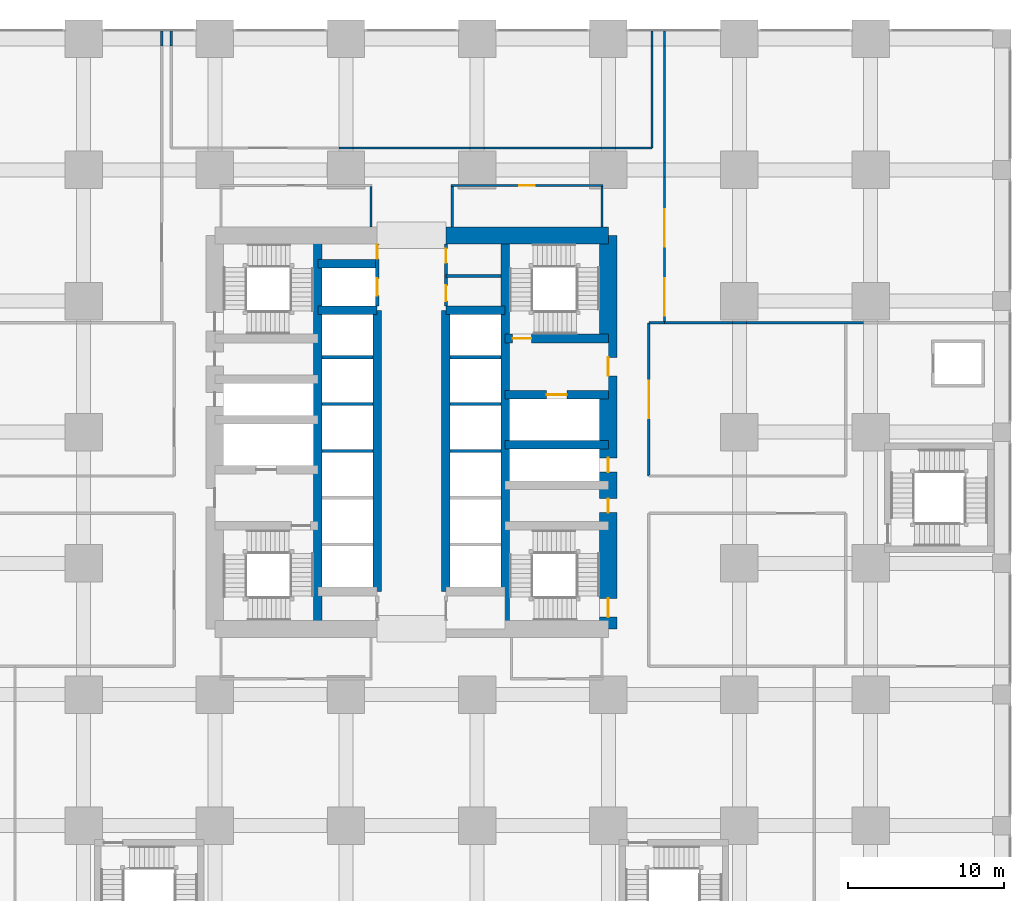
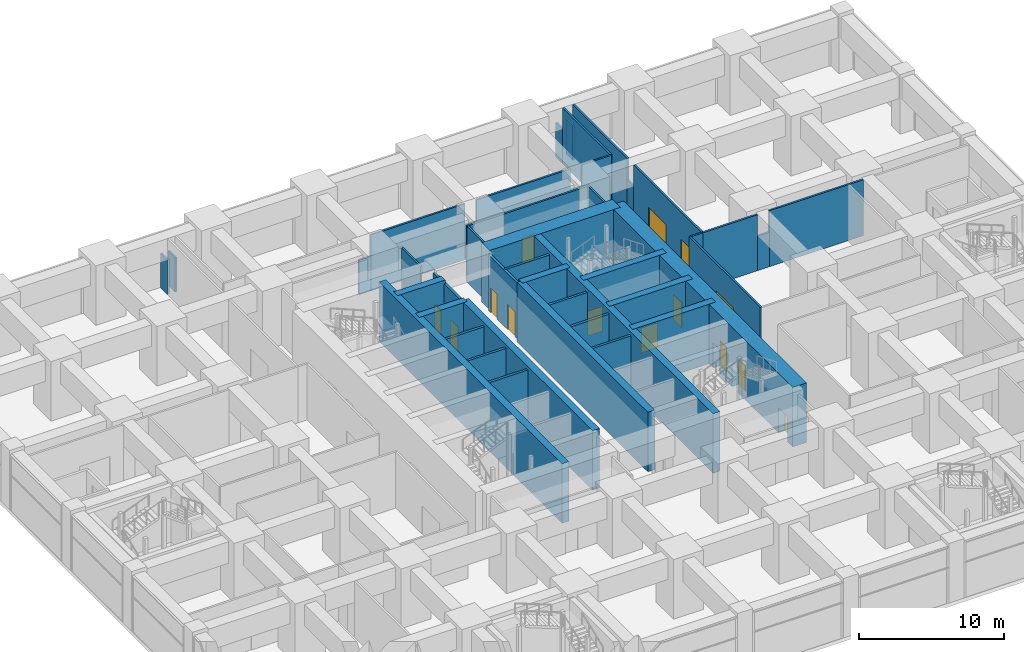
# One storey, part 38 of 49: 44 walls, 14 doors, 14 openings.
"""IFC4 building model written with IfcOpenShell, lengths in metres."""

from ifc_helpers import new_model, si_unit, direction, frame, frame_2d, origin, place, context, subcontext, project, spatial, rectangle, extrude, material, layer, layer_set, type_object, element, fill, save


model = new_model("IFC4")

# Units and contexts
model_context = context("Model", 3, precision=1e-05, world=origin(), true_north=direction((0.0, 1.0)))
body_context = subcontext(model_context, "Body", "Model", "MODEL_VIEW")
ifc_project = project(units=[si_unit("LENGTHUNIT", "METRE"), si_unit("AREAUNIT", "SQUARE_METRE"), si_unit("VOLUMEUNIT", "CUBIC_METRE"), si_unit("PLANEANGLEUNIT", "RADIAN"), si_unit("MASSUNIT", "GRAM", prefix="KILO")], contexts=[model_context])

# Site, building, storey
site_placement = place(None, origin())
site = spatial("IfcSite", under=ifc_project, at=site_placement, CompositionType="ELEMENT")
building_placement = place(site_placement, origin())
building = spatial("IfcBuilding", under=site, at=building_placement, Name="Rekha Terrace Tower", CompositionType="ELEMENT")
storey_placement = place(building_placement, frame((0.0, 0.0, 10.39990234375)))
storey = spatial("IfcBuildingStorey", under=building, at=storey_placement, Name="L02", CompositionType="ELEMENT", Elevation=10.39990234375)

# Walls
ifc_material_1 = material(Name="Concrete M70", Category="concrete")
ifc_layer_1 = layer(ifc_material_1, 0.550048828125)
ifc_layer_set_1 = layer_set([ifc_layer_1], Name="Concrete M70")
wall_type_1 = type_object("IfcWallType", Name="CI1 550 core internal shear wall", PredefinedType="SHEAR", material=ifc_layer_set_1)
for number, where, z_axis, x_axis, name in (
    (1, (31.800048828125, 21.0, 0.0), (0.0, 0.0, 1.0), (0.0, 1.0, 0.0), "Core wall X318 L02"),
    (2, (43.800048828125, 21.0, 0.0), (0.0, 0.0, 1.0), (0.0, 1.0, 0.0), "Core wall X438 L02"),
):
    element("IfcWall", number, at=place(storey_placement, frame(where, z_axis=z_axis, x_axis=x_axis)), inside=storey, type_object=wall_type_1, Name=name, PredefinedType="SHEAR", context=body_context, shape_type="SweptSolid", body=[
        extrude(rectangle(XDim=25.199951171875, YDim=0.550048828125, at=frame_2d((12.60009765625, 0.0))), origin(), (0.0, 0.0, 1.0), 5.0),
    ])
for number, where, z_axis, x_axis, name in (
    (3, (35.60009765625, 23.39990234375, 0.0), (0.0, 0.0, 1.0), (0.0, 1.0, 0.0), "Core wall X356 L02"),
    (4, (40.0, 23.39990234375, 0.0), (0.0, 0.0, 1.0), (0.0, 1.0, 0.0), "Core wall X400 L02"),
):
    element("IfcWall", number, at=place(storey_placement, frame(where, z_axis=z_axis, x_axis=x_axis)), inside=storey, type_object=wall_type_1, Name=name, PredefinedType="SHEAR", context=body_context, shape_type="SweptSolid", body=[
        extrude(rectangle(XDim=18.0, YDim=0.550048828125, at=frame_2d((9.0, 0.0))), origin(), (0.0, 0.0, 1.0), 5.0),
    ])
for number, where, z_axis, x_axis, name in (
    (5, (31.800048828125, 41.39990234375, 0.0), (0.0, 0.0, 1.0), (1.0, 0.0, 0.0), "Core wall Y414W L02"),
    (6, (31.800048828125, 44.39990234375, 0.0), (0.0, 0.0, 1.0), (1.0, 0.0, 0.0), "Core wall Y444W L02"),
    (7, (40.0, 41.39990234375, 0.0), (0.0, 0.0, 1.0), (1.0, 0.0, 0.0), "Core wall Y414E L02"),
):
    element("IfcWall", number, at=place(storey_placement, frame(where, z_axis=z_axis, x_axis=x_axis)), inside=storey, type_object=wall_type_1, Name=name, PredefinedType="SHEAR", context=body_context, shape_type="SweptSolid", body=[
        extrude(rectangle(XDim=3.800048828125, YDim=0.550048828125, at=frame_2d((1.89990234375, 0.0))), origin(), (0.0, 0.0, 1.0), 5.0),
    ])
wall_1_placement = place(storey_placement, frame((43.800048828125, 32.800048828125, 0.0), z_axis=(0.0, 0.0, 1.0), x_axis=(1.0, 0.0, 0.0)))
element("IfcWall", 8, at=wall_1_placement, inside=storey, type_object=wall_type_1, Name="Core wall Y328E L02", PredefinedType="SHEAR", context=body_context, shape_type="SweptSolid", body=[
    extrude(rectangle(XDim=6.599853515625, YDim=0.550048828125, at=frame_2d((3.2998046875, 0.0))), origin(), (0.0, 0.0, 1.0), 5.0),
])

# Wall, opening, door
wall_2_placement = place(storey_placement, frame((43.800048828125, 36.0, 0.0), z_axis=(0.0, 0.0, 1.0), x_axis=(1.0, 0.0, 0.0)))
wall_2 = element("IfcWall", 9, at=wall_2_placement, inside=storey, type_object=wall_type_1, Name="Core wall Y360E L02", PredefinedType="SHEAR", context=body_context, shape_type="SweptSolid", body=[
    extrude(rectangle(XDim=6.599853515625, YDim=0.550048828125, at=frame_2d((3.2998046875, 0.0))), origin(), (0.0, 0.0, 1.0), 5.0),
])
opening_1_placement = place(wall_2_placement, frame((2.64990234375, 0.0, 0.0)))
opening_1 = element("IfcOpeningElement", 10, at=opening_1_placement, cuts=wall_2, Name="Opening LD2", PredefinedType="OPENING", context=body_context, shape_type="SweptSolid", body=[
    extrude(rectangle(XDim=1.300048828125, YDim=2.10009765625, at=frame_2d((0.64990234375, 1.050048828125))), frame((0.0, 0.284912109375, 0.0), z_axis=(0.0, -1.0, 0.0), x_axis=(1.0, 0.0, 0.0)), (0.0, 0.0, 1.0), 0.570068359375),
])
ifc_material_2 = material(Name="Stainless steel sliding landing door", Category="steel")
door_type_1 = type_object("IfcDoorType", Name="LD2 1300x2100 fire lift landing door", OperationType="SLIDING_TO_LEFT", PredefinedType="USERDEFINED", material=ifc_material_2)
door_1_placement = place(opening_1_placement, origin())
door_1 = element("IfcDoor", 11, at=door_1_placement, inside=storey, type_object=door_type_1, Name="Lift FL2 landing door L02", ObjectType="LIFT LANDING DOOR", OperationType="SLIDING_TO_LEFT", OverallHeight=2.10009765625, OverallWidth=1.300048828125, PredefinedType="USERDEFINED", context=body_context, shape_type="SweptSolid", body=[
    extrude(rectangle(XDim=1.300048828125, YDim=2.10009765625, at=frame_2d((0.64990234375, 1.050048828125))), frame((0.0, 0.02490234375, 0.0), z_axis=(0.0, -1.0, 0.0), x_axis=(1.0, 0.0, 0.0)), (0.0, 0.0, 1.0), 0.050048828125),
])
fill(opening_1, door_1)

wall_3_placement = place(storey_placement, frame((43.800048828125, 39.60009765625, 0.0), z_axis=(0.0, 0.0, 1.0), x_axis=(1.0, 0.0, 0.0)))
wall_3 = element("IfcWall", 12, at=wall_3_placement, inside=storey, type_object=wall_type_1, Name="Core wall Y396E L02", PredefinedType="SHEAR", context=body_context, shape_type="SweptSolid", body=[
    extrude(rectangle(XDim=6.599853515625, YDim=0.550048828125, at=frame_2d((3.2998046875, 0.0))), origin(), (0.0, 0.0, 1.0), 5.0),
])
opening_2_placement = place(wall_3_placement, frame((0.47509765625, 0.0, 0.0)))
opening_2 = element("IfcOpeningElement", 13, at=opening_2_placement, cuts=wall_3, Name="Opening D1", PredefinedType="OPENING", context=body_context, shape_type="SweptSolid", body=[
    extrude(rectangle(XDim=1.199951171875, YDim=2.10009765625, at=frame_2d((0.60009765625, 1.050048828125))), frame((0.0, 0.284912109375, 0.0), z_axis=(0.0, -1.0, 0.0), x_axis=(1.0, 0.0, 0.0)), (0.0, 0.0, 1.0), 0.570068359375),
])
ifc_material_3 = material(Name="Steel fire door", Category="steel")
door_type_2 = type_object("IfcDoorType", Name="D1 1200x2100 stair fire door", OperationType="SINGLE_SWING_RIGHT", PredefinedType="DOOR", material=ifc_material_3)
door_2_placement = place(opening_2_placement, origin())
door_2 = element("IfcDoor", 14, at=door_2_placement, inside=storey, type_object=door_type_2, Name="Stair ST2 door L02", OperationType="SINGLE_SWING_RIGHT", OverallHeight=2.10009765625, OverallWidth=1.199951171875, PredefinedType="DOOR", context=body_context, shape_type="SweptSolid", body=[
    extrude(rectangle(XDim=1.199951171875, YDim=2.10009765625, at=frame_2d((0.60009765625, 1.050048828125))), frame((0.0, 0.02490234375, 0.0), z_axis=(0.0, -1.0, 0.0), x_axis=(1.0, 0.0, 0.0)), (0.0, 0.0, 1.0), 0.050048828125),
])
fill(opening_2, door_2)

# Wall
ifc_layer_2 = layer(ifc_material_1, 1.10009765625)
ifc_layer_set_2 = layer_set([ifc_layer_2], Name="Concrete M70")
wall_type_2 = type_object("IfcWallType", Name="SW1 1100 core outer shear wall", PredefinedType="SHEAR", material=ifc_layer_set_2)
wall_4_placement = place(storey_placement, frame((40.0, 46.199951171875, 0.0), z_axis=(0.0, 0.0, 1.0), x_axis=(1.0, 0.0, 0.0)))
element("IfcWall", 15, at=wall_4_placement, inside=storey, type_object=wall_type_2, Name="Core wall N2 L02", PredefinedType="SHEAR", context=body_context, shape_type="SweptSolid", body=[
    extrude(rectangle(XDim=10.39990234375, YDim=1.10009765625, at=frame_2d((5.199951171875, 0.0))), origin(), (0.0, 0.0, 1.0), 5.0),
])

# Wall, openings, doors
wall_5_placement = place(storey_placement, frame((50.39990234375, 21.0, 0.0), z_axis=(0.0, 0.0, 1.0), x_axis=(0.0, 1.0, 0.0)))
wall_5 = element("IfcWall", 16, at=wall_5_placement, inside=storey, type_object=wall_type_2, Name="Core wall E L02", PredefinedType="SHEAR", context=body_context, shape_type="SweptSolid", body=[
    extrude(rectangle(XDim=25.199951171875, YDim=1.10009765625, at=frame_2d((12.60009765625, 0.0))), origin(), (0.0, 0.0, 1.0), 5.0),
])
opening_3_placement = place(wall_5_placement, frame((16.199951171875, 0.0, 0.0)))
opening_3 = element("IfcOpeningElement", 17, at=opening_3_placement, cuts=wall_5, Name="Opening D2", PredefinedType="OPENING", context=body_context, shape_type="SweptSolid", body=[
    extrude(rectangle(XDim=1.199951171875, YDim=2.10009765625, at=frame_2d((0.60009765625, 1.050048828125))), frame((0.0, 0.56005859375, 0.0), z_axis=(0.0, -1.0, 0.0), x_axis=(1.0, 0.0, 0.0)), (0.0, 0.0, 1.0), 1.1201171875),
])
opening_4_placement = place(wall_5_placement, frame((10.050048828125, 0.0, 0.0)))
opening_4 = element("IfcOpeningElement", 18, at=opening_4_placement, cuts=wall_5, Name="Opening D5", PredefinedType="OPENING", context=body_context, shape_type="SweptSolid", body=[
    extrude(rectangle(XDim=0.89990234375, YDim=2.10009765625, at=frame_2d((0.449951171875, 1.050048828125))), frame((0.0, 0.56005859375, 0.0), z_axis=(0.0, -1.0, 0.0), x_axis=(1.0, 0.0, 0.0)), (0.0, 0.0, 1.0), 1.1201171875),
])
opening_5_placement = place(wall_5_placement, frame((7.449951171875, 0.0, 0.0)))
opening_5 = element("IfcOpeningElement", 19, at=opening_5_placement, cuts=wall_5, Name="Opening D5", PredefinedType="OPENING", context=body_context, shape_type="SweptSolid", body=[
    extrude(rectangle(XDim=0.89990234375, YDim=2.10009765625, at=frame_2d((0.449951171875, 1.050048828125))), frame((0.0, 0.56005859375, 0.0), z_axis=(0.0, -1.0, 0.0), x_axis=(1.0, 0.0, 0.0)), (0.0, 0.0, 1.0), 1.1201171875),
])
opening_6_placement = place(wall_5_placement, frame((0.75, 0.0, 0.0)))
opening_6 = element("IfcOpeningElement", 20, at=opening_6_placement, cuts=wall_5, Name="Opening D1", PredefinedType="OPENING", context=body_context, shape_type="SweptSolid", body=[
    extrude(rectangle(XDim=1.199951171875, YDim=2.10009765625, at=frame_2d((0.60009765625, 1.050048828125))), frame((0.0, 0.56005859375, 0.0), z_axis=(0.0, -1.0, 0.0), x_axis=(1.0, 0.0, 0.0)), (0.0, 0.0, 1.0), 1.1201171875),
])
door_3_placement = place(opening_6_placement, origin())
door_3 = element("IfcDoor", 21, at=door_3_placement, inside=storey, type_object=door_type_2, Name="Stair ST3 door L02", OperationType="SINGLE_SWING_RIGHT", OverallHeight=2.10009765625, OverallWidth=1.199951171875, PredefinedType="DOOR", context=body_context, shape_type="SweptSolid", body=[
    extrude(rectangle(XDim=1.199951171875, YDim=2.10009765625, at=frame_2d((0.60009765625, 1.050048828125))), frame((0.0, 0.02490234375, 0.0), z_axis=(0.0, -1.0, 0.0), x_axis=(1.0, 0.0, 0.0)), (0.0, 0.0, 1.0), 0.050048828125),
])
fill(opening_6, door_3)
door_type_3 = type_object("IfcDoorType", Name="D2 1200x2100 firefighting lobby door", OperationType="SINGLE_SWING_LEFT", PredefinedType="DOOR", material=ifc_material_3)
door_4_placement = place(opening_3_placement, origin())
door_4 = element("IfcDoor", 22, at=door_4_placement, inside=storey, type_object=door_type_3, Name="Door flb2 L02", OperationType="SINGLE_SWING_LEFT", OverallHeight=2.10009765625, OverallWidth=1.199951171875, PredefinedType="DOOR", context=body_context, shape_type="SweptSolid", body=[
    extrude(rectangle(XDim=1.199951171875, YDim=2.10009765625, at=frame_2d((0.60009765625, 1.050048828125))), frame((0.0, 0.02490234375, 0.0), z_axis=(0.0, -1.0, 0.0), x_axis=(1.0, 0.0, 0.0)), (0.0, 0.0, 1.0), 0.050048828125),
])
fill(opening_3, door_4)
door_type_4 = type_object("IfcDoorType", Name="D5 900x2100 riser access door", OperationType="SINGLE_SWING_LEFT", PredefinedType="DOOR", material=ifc_material_3)
door_5_placement = place(opening_4_placement, origin())
door_5 = element("IfcDoor", 23, at=door_5_placement, inside=storey, type_object=door_type_4, Name="Door rs2 L02", OperationType="SINGLE_SWING_LEFT", OverallHeight=2.10009765625, OverallWidth=0.89990234375, PredefinedType="DOOR", context=body_context, shape_type="SweptSolid", body=[
    extrude(rectangle(XDim=0.89990234375, YDim=2.10009765625, at=frame_2d((0.449951171875, 1.050048828125))), frame((0.0, 0.02490234375, 0.0), z_axis=(0.0, -1.0, 0.0), x_axis=(1.0, 0.0, 0.0)), (0.0, 0.0, 1.0), 0.050048828125),
])
fill(opening_4, door_5)
door_6_placement = place(opening_5_placement, origin())
door_6 = element("IfcDoor", 24, at=door_6_placement, inside=storey, type_object=door_type_4, Name="Door ele L02", OperationType="SINGLE_SWING_LEFT", OverallHeight=2.10009765625, OverallWidth=0.89990234375, PredefinedType="DOOR", context=body_context, shape_type="SweptSolid", body=[
    extrude(rectangle(XDim=0.89990234375, YDim=2.10009765625, at=frame_2d((0.449951171875, 1.050048828125))), frame((0.0, 0.02490234375, 0.0), z_axis=(0.0, -1.0, 0.0), x_axis=(1.0, 0.0, 0.0)), (0.0, 0.0, 1.0), 0.050048828125),
])
fill(opening_5, door_6)

# Wall, opening, door
ifc_material_4 = material(Name="Concrete block masonry, 1 hour", Category="masonry")
ifc_layer_3 = layer(ifc_material_4, 0.14990234375)
ifc_layer_set_3 = layer_set([ifc_layer_3], Name="Concrete block masonry, 1 hour")
wall_type_3 = type_object("IfcWallType", Name="WP2 150 tenancy partition", PredefinedType="PARTITIONING", material=ifc_layer_set_3)
wall_6_placement = place(storey_placement, frame((40.324951171875, 49.39990234375, 0.0), z_axis=(0.0, 0.0, 1.0), x_axis=(1.0, 0.0, 0.0)))
wall_6 = element("IfcWall", 25, at=wall_6_placement, inside=storey, type_object=wall_type_3, Name="Women's WC wall L02", PredefinedType="PARTITIONING", context=body_context, shape_type="SweptSolid", body=[
    extrude(rectangle(XDim=9.75, YDim=0.14990234375, at=frame_2d((4.875, 0.0))), origin(), (0.0, 0.0, 1.0), 4.7001953125),
])
opening_7_placement = place(wall_6_placement, frame((4.375, 0.0, 0.0)))
opening_7 = element("IfcOpeningElement", 26, at=opening_7_placement, cuts=wall_6, Name="Opening D3", PredefinedType="OPENING", context=body_context, shape_type="SweptSolid", body=[
    extrude(rectangle(XDim=1.0, YDim=2.10009765625, at=frame_2d((0.5, 1.050048828125))), frame((0.0, 0.0849609375, 0.0), z_axis=(0.0, -1.0, 0.0), x_axis=(1.0, 0.0, 0.0)), (0.0, 0.0, 1.0), 0.169921875),
])
ifc_material_5 = material(Name="Laminated timber fire door", Category="wood")
door_type_5 = type_object("IfcDoorType", Name="D3 1000x2100 WC door", OperationType="SINGLE_SWING_LEFT", PredefinedType="DOOR", material=ifc_material_5)
door_7_placement = place(opening_7_placement, origin())
door_7 = element("IfcDoor", 27, at=door_7_placement, inside=storey, type_object=door_type_5, Name="Door women's wc L02", OperationType="SINGLE_SWING_LEFT", OverallHeight=2.10009765625, OverallWidth=1.0, PredefinedType="DOOR", context=body_context, shape_type="SweptSolid", body=[
    extrude(rectangle(XDim=1.0, YDim=2.10009765625, at=frame_2d((0.5, 1.050048828125))), frame((0.0, 0.02490234375, 0.0), z_axis=(0.0, -1.0, 0.0), x_axis=(1.0, 0.0, 0.0)), (0.0, 0.0, 1.0), 0.050048828125),
])
fill(opening_7, door_7)

# Walls
for number, where, z_axis, x_axis, name in (
    (28, (40.39990234375, 46.75, 0.0), (0.0, 0.0, 1.0), (0.0, 1.0, 0.0), "Women's WC wall L02"),
    (29, (50.0, 46.75, 0.0), (0.0, 0.0, 1.0), (0.0, 1.0, 0.0), "Women's WC wall L02"),
    (30, (35.199951171875, 46.75, 0.0), (0.0, 0.0, 1.0), (0.0, 1.0, 0.0), "Women's WC wall L02"),
):
    element("IfcWall", number, at=place(storey_placement, frame(where, z_axis=z_axis, x_axis=x_axis)), inside=storey, type_object=wall_type_3, Name=name, PredefinedType="PARTITIONING", context=body_context, shape_type="SweptSolid", body=[
        extrude(rectangle(XDim=2.574951171875, YDim=0.14990234375, at=frame_2d((1.28759765625, 0.0))), origin(), (0.0, 0.0, 1.0), 4.7001953125),
    ])
wall_7_placement = place(storey_placement, frame((21.800048828125, 59.2900390625, 0.0), z_axis=(0.0, 0.0, 1.0), x_axis=(0.0, -1.0, 0.0)))
element("IfcWall", 31, at=wall_7_placement, inside=storey, type_object=wall_type_3, Name="Partition L02-02", PredefinedType="PARTITIONING", context=body_context, shape_type="SweptSolid", body=[
    extrude(rectangle(XDim=0.949951171875, YDim=0.14990234375, at=frame_2d((0.47509765625, 0.0))), origin(), (0.0, 0.0, 1.0), 2.900146484375),
])
wall_8_placement = place(storey_placement, frame((66.739990234375, 40.60009765625, 0.0), z_axis=(0.0, 0.0, 1.0), x_axis=(-1.0, 0.0, 0.0)))
element("IfcWall", 32, at=wall_8_placement, inside=storey, type_object=wall_type_3, Name="Partition L02-03", PredefinedType="PARTITIONING", context=body_context, shape_type="SweptSolid", body=[
    extrude(rectangle(XDim=7.47998046875, YDim=0.14990234375, at=frame_2d((3.739990234375, 0.0))), origin(), (0.0, 0.0, 1.0), 4.7001953125),
])
wall_9_placement = place(storey_placement, frame((59.260009765625, 40.60009765625, 0.0), z_axis=(0.0, 0.0, 1.0), x_axis=(-1.0, 0.0, 0.0)))
element("IfcWall", 33, at=wall_9_placement, inside=storey, type_object=wall_type_3, Name="Partition L02-03", PredefinedType="PARTITIONING", context=body_context, shape_type="SweptSolid", body=[
    extrude(rectangle(XDim=0.919921875, YDim=0.14990234375, at=frame_2d((0.4599609375, 0.0))), origin(), (0.0, 0.0, 1.0), 2.900146484375),
])
wall_10_placement = place(storey_placement, frame((58.340087890625, 40.60009765625, 0.0), z_axis=(0.0, 0.0, 1.0), x_axis=(-1.0, 0.0, 0.0)))
element("IfcWall", 34, at=wall_10_placement, inside=storey, type_object=wall_type_3, Name="Partition L02-03", PredefinedType="PARTITIONING", context=body_context, shape_type="SweptSolid", body=[
    extrude(rectangle(XDim=4.340087890625, YDim=0.14990234375, at=frame_2d((2.169921875, 0.0))), origin(), (0.0, 0.0, 1.0), 4.7001953125),
])

# Wall, openings, doors
wall_11_placement = place(storey_placement, frame((54.0, 40.60009765625, 0.0), z_axis=(0.0, 0.0, 1.0), x_axis=(0.0, 1.0, 0.0)))
wall_11 = element("IfcWall", 35, at=wall_11_placement, inside=storey, type_object=wall_type_3, Name="Partition L02-03", PredefinedType="PARTITIONING", context=body_context, shape_type="SweptSolid", body=[
    extrude(rectangle(XDim=9.33984375, YDim=0.14990234375, at=frame_2d((4.669921875, 0.0))), origin(), (0.0, 0.0, 1.0), 4.7001953125),
])
opening_8_placement = place(wall_11_placement, frame((4.875, 0.0, 0.0)))
opening_8 = element("IfcOpeningElement", 36, at=opening_8_placement, cuts=wall_11, Name="Opening D7", PredefinedType="OPENING", context=body_context, shape_type="SweptSolid", body=[
    extrude(rectangle(XDim=2.39990234375, YDim=2.39990234375, at=frame_2d((1.199951171875, 1.199951171875))), frame((0.0, 0.0849609375, 0.0), z_axis=(0.0, -1.0, 0.0), x_axis=(1.0, 0.0, 0.0)), (0.0, 0.0, 1.0), 0.169921875),
])
opening_9_placement = place(wall_11_placement, frame((0.469970703125, 0.0, 0.0)))
opening_9 = element("IfcOpeningElement", 37, at=opening_9_placement, cuts=wall_11, Name="Opening D7", PredefinedType="OPENING", context=body_context, shape_type="SweptSolid", body=[
    extrude(rectangle(XDim=2.39990234375, YDim=2.39990234375, at=frame_2d((1.199951171875, 1.199951171875))), frame((0.0, 0.0849609375, 0.0), z_axis=(0.0, -1.0, 0.0), x_axis=(1.0, 0.0, 0.0)), (0.0, 0.0, 1.0), 0.169921875),
])
ifc_material_6 = material(Name="Glazed aluminium door", Category="aluminium")
door_type_6 = type_object("IfcDoorType", Name="D7 2400x2400 shopfront double door", OperationType="DOUBLE_DOOR_SINGLE_SWING", PredefinedType="DOOR", material=ifc_material_6)
door_8_placement = place(opening_8_placement, origin())
door_8 = element("IfcDoor", 38, at=door_8_placement, inside=storey, type_object=door_type_6, Name="Door retail unit 10 L02", OperationType="DOUBLE_DOOR_SINGLE_SWING", OverallHeight=2.39990234375, OverallWidth=2.39990234375, PredefinedType="DOOR", context=body_context, shape_type="SweptSolid", body=[
    extrude(rectangle(XDim=2.39990234375, YDim=2.39990234375, at=frame_2d((1.199951171875, 1.199951171875))), frame((0.0, 0.02490234375, 0.0), z_axis=(0.0, -1.0, 0.0), x_axis=(1.0, 0.0, 0.0)), (0.0, 0.0, 1.0), 0.050048828125),
])
fill(opening_8, door_8)
door_9_placement = place(opening_9_placement, origin())
door_9 = element("IfcDoor", 39, at=door_9_placement, inside=storey, type_object=door_type_6, Name="Door retail unit 10 L02", OperationType="DOUBLE_DOOR_SINGLE_SWING", OverallHeight=2.39990234375, OverallWidth=2.39990234375, PredefinedType="DOOR", context=body_context, shape_type="SweptSolid", body=[
    extrude(rectangle(XDim=2.39990234375, YDim=2.39990234375, at=frame_2d((1.199951171875, 1.199951171875))), frame((0.0, 0.02490234375, 0.0), z_axis=(0.0, -1.0, 0.0), x_axis=(1.0, 0.0, 0.0)), (0.0, 0.0, 1.0), 0.050048828125),
])
fill(opening_9, door_9)

# Walls
wall_12_placement = place(storey_placement, frame((54.0, 49.93994140625, 0.0), z_axis=(0.0, 0.0, 1.0), x_axis=(0.0, 1.0, 0.0)))
element("IfcWall", 40, at=wall_12_placement, inside=storey, type_object=wall_type_3, Name="Partition L02-03", PredefinedType="PARTITIONING", context=body_context, shape_type="SweptSolid", body=[
    extrude(rectangle(XDim=0.920166015625, YDim=0.14990234375, at=frame_2d((0.4599609375, 0.0))), origin(), (0.0, 0.0, 1.0), 2.900146484375),
])
wall_13_placement = place(storey_placement, frame((54.0, 50.860107421875, 0.0), z_axis=(0.0, 0.0, 1.0), x_axis=(0.0, 1.0, 0.0)))
element("IfcWall", 41, at=wall_13_placement, inside=storey, type_object=wall_type_3, Name="Partition L02-03", PredefinedType="PARTITIONING", context=body_context, shape_type="SweptSolid", body=[
    extrude(rectangle(XDim=7.47998046875, YDim=0.14990234375, at=frame_2d((3.739990234375, 0.0))), origin(), (0.0, 0.0, 1.0), 4.7001953125),
])
wall_14_placement = place(storey_placement, frame((54.0, 58.340087890625, 0.0), z_axis=(0.0, 0.0, 1.0), x_axis=(0.0, 1.0, 0.0)))
element("IfcWall", 42, at=wall_14_placement, inside=storey, type_object=wall_type_3, Name="Partition L02-03", PredefinedType="PARTITIONING", context=body_context, shape_type="SweptSolid", body=[
    extrude(rectangle(XDim=0.949951171875, YDim=0.14990234375, at=frame_2d((0.47509765625, 0.0))), origin(), (0.0, 0.0, 1.0), 2.900146484375),
])
wall_15_placement = place(storey_placement, frame((53.199951171875, 51.800048828125, 0.0), z_axis=(0.0, 0.0, 1.0), x_axis=(-1.0, 0.0, 0.0)))
element("IfcWall", 43, at=wall_15_placement, inside=storey, type_object=wall_type_3, Name="Partition L02-06", PredefinedType="PARTITIONING", context=body_context, shape_type="SweptSolid", body=[
    extrude(rectangle(XDim=2.33984375, YDim=0.14990234375, at=frame_2d((1.169921875, 0.0))), origin(), (0.0, 0.0, 1.0), 4.7001953125),
])
wall_16_placement = place(storey_placement, frame((50.860107421875, 51.800048828125, 0.0), z_axis=(0.0, 0.0, 1.0), x_axis=(-1.0, 0.0, 0.0)))
element("IfcWall", 44, at=wall_16_placement, inside=storey, type_object=wall_type_3, Name="Partition L02-06", PredefinedType="PARTITIONING", context=body_context, shape_type="SweptSolid", body=[
    extrude(rectangle(XDim=0.920166015625, YDim=0.14990234375, at=frame_2d((0.4599609375, 0.0))), origin(), (0.0, 0.0, 1.0), 2.900146484375),
])
wall_17_placement = place(storey_placement, frame((49.93994140625, 51.800048828125, 0.0), z_axis=(0.0, 0.0, 1.0), x_axis=(-1.0, 0.0, 0.0)))
element("IfcWall", 45, at=wall_17_placement, inside=storey, type_object=wall_type_3, Name="Partition L02-06", PredefinedType="PARTITIONING", context=body_context, shape_type="SweptSolid", body=[
    extrude(rectangle(XDim=7.47998046875, YDim=0.14990234375, at=frame_2d((3.739990234375, 0.0))), origin(), (0.0, 0.0, 1.0), 4.7001953125),
])
wall_18_placement = place(storey_placement, frame((42.4599609375, 51.800048828125, 0.0), z_axis=(0.0, 0.0, 1.0), x_axis=(-1.0, 0.0, 0.0)))
element("IfcWall", 46, at=wall_18_placement, inside=storey, type_object=wall_type_3, Name="Partition L02-06", PredefinedType="PARTITIONING", context=body_context, shape_type="SweptSolid", body=[
    extrude(rectangle(XDim=0.919921875, YDim=0.14990234375, at=frame_2d((0.4599609375, 0.0))), origin(), (0.0, 0.0, 1.0), 2.900146484375),
])
wall_19_placement = place(storey_placement, frame((41.5400390625, 51.800048828125, 0.0), z_axis=(0.0, 0.0, 1.0), x_axis=(-1.0, 0.0, 0.0)))
element("IfcWall", 47, at=wall_19_placement, inside=storey, type_object=wall_type_3, Name="Partition L02-06", PredefinedType="PARTITIONING", context=body_context, shape_type="SweptSolid", body=[
    extrude(rectangle(XDim=7.47998046875, YDim=0.14990234375, at=frame_2d((3.739990234375, 0.0))), origin(), (0.0, 0.0, 1.0), 4.7001953125),
])
wall_20_placement = place(storey_placement, frame((34.06005859375, 51.800048828125, 0.0), z_axis=(0.0, 0.0, 1.0), x_axis=(-1.0, 0.0, 0.0)))
element("IfcWall", 48, at=wall_20_placement, inside=storey, type_object=wall_type_3, Name="Partition L02-06", PredefinedType="PARTITIONING", context=body_context, shape_type="SweptSolid", body=[
    extrude(rectangle(XDim=0.920166015625, YDim=0.14990234375, at=frame_2d((0.4599609375, 0.0))), origin(), (0.0, 0.0, 1.0), 2.900146484375),
])
for number, where, z_axis, x_axis, name in (
    (49, (22.39990234375, 58.340087890625, 0.0), (0.0, 0.0, 1.0), (0.0, 1.0, 0.0), "Partition L02-06"),
    (50, (53.199951171875, 59.2900390625, 0.0), (0.0, 0.0, 1.0), (0.0, -1.0, 0.0), "Partition L02-06"),
):
    element("IfcWall", number, at=place(storey_placement, frame(where, z_axis=z_axis, x_axis=x_axis)), inside=storey, type_object=wall_type_3, Name=name, PredefinedType="PARTITIONING", context=body_context, shape_type="SweptSolid", body=[
        extrude(rectangle(XDim=0.949951171875, YDim=0.14990234375, at=frame_2d((0.47509765625, 0.0))), origin(), (0.0, 0.0, 1.0), 2.900146484375),
    ])
wall_21_placement = place(storey_placement, frame((53.199951171875, 58.340087890625, 0.0), z_axis=(0.0, 0.0, 1.0), x_axis=(0.0, -1.0, 0.0)))
element("IfcWall", 51, at=wall_21_placement, inside=storey, type_object=wall_type_3, Name="Partition L02-06", PredefinedType="PARTITIONING", context=body_context, shape_type="SweptSolid", body=[
    extrude(rectangle(XDim=6.5400390625, YDim=0.14990234375, at=frame_2d((3.27001953125, 0.0))), origin(), (0.0, 0.0, 1.0), 4.7001953125),
])

# Wall, opening, door
wall_22_placement = place(storey_placement, frame((53.0, 30.800048828125, 0.0), z_axis=(0.0, 0.0, 1.0), x_axis=(0.0, 1.0, 0.0)))
wall_22 = element("IfcWall", 52, at=wall_22_placement, inside=storey, type_object=wall_type_3, Name="Partition L02-10", PredefinedType="PARTITIONING", context=body_context, shape_type="SweptSolid", body=[
    extrude(rectangle(XDim=9.800048828125, YDim=0.14990234375, at=frame_2d((4.89990234375, 0.0))), origin(), (0.0, 0.0, 1.0), 4.7001953125),
])
opening_10_placement = place(wall_22_placement, frame((3.699951171875, 0.0, 0.0)))
opening_10 = element("IfcOpeningElement", 53, at=opening_10_placement, cuts=wall_22, Name="Opening D7", PredefinedType="OPENING", context=body_context, shape_type="SweptSolid", body=[
    extrude(rectangle(XDim=2.39990234375, YDim=2.39990234375, at=frame_2d((1.199951171875, 1.199951171875))), frame((0.0, 0.0849609375, 0.0), z_axis=(0.0, -1.0, 0.0), x_axis=(1.0, 0.0, 0.0)), (0.0, 0.0, 1.0), 0.169921875),
])
door_10_placement = place(opening_10_placement, origin())
door_10 = element("IfcDoor", 54, at=door_10_placement, inside=storey, type_object=door_type_6, Name="Door retail unit 22 L02", OperationType="DOUBLE_DOOR_SINGLE_SWING", OverallHeight=2.39990234375, OverallWidth=2.39990234375, PredefinedType="DOOR", context=body_context, shape_type="SweptSolid", body=[
    extrude(rectangle(XDim=2.39990234375, YDim=2.39990234375, at=frame_2d((1.199951171875, 1.199951171875))), frame((0.0, 0.02490234375, 0.0), z_axis=(0.0, -1.0, 0.0), x_axis=(1.0, 0.0, 0.0)), (0.0, 0.0, 1.0), 0.050048828125),
])
fill(opening_10, door_10)

# Walls
wall_23_placement = place(storey_placement, frame((53.0, 40.60009765625, 0.0), z_axis=(0.0, 0.0, 1.0), x_axis=(1.0, 0.0, 0.0)))
element("IfcWall", 55, at=wall_23_placement, inside=storey, type_object=wall_type_3, Name="Partition L02-10", PredefinedType="PARTITIONING", context=body_context, shape_type="SweptSolid", body=[
    extrude(rectangle(XDim=1.0, YDim=0.14990234375, at=frame_2d((0.5, 0.0))), origin(), (0.0, 0.0, 1.0), 4.7001953125),
])
ifc_material_7 = material(Name="Solid concrete block masonry, 2 hour", Category="masonry")
ifc_layer_4 = layer(ifc_material_7, 0.199951171875)
ifc_layer_set_4 = layer_set([ifc_layer_4], Name="Solid concrete block masonry, 2 hour")
wall_type_4 = type_object("IfcWallType", Name="WS1 200 stair and shaft enclosure", PredefinedType="PARTITIONING", material=ifc_layer_set_4)
for number, where, z_axis, x_axis, name in (
    (56, (32.074951171875, 32.39990234375, 0.0), (0.0, 0.0, 1.0), (1.0, 0.0, 0.0), "Lift shaft divider L02"),
    (57, (32.074951171875, 35.39990234375, 0.0), (0.0, 0.0, 1.0), (1.0, 0.0, 0.0), "Lift shaft divider L02"),
    (58, (32.074951171875, 38.39990234375, 0.0), (0.0, 0.0, 1.0), (1.0, 0.0, 0.0), "Lift shaft divider L02"),
    (59, (40.27490234375, 32.39990234375, 0.0), (0.0, 0.0, 1.0), (1.0, 0.0, 0.0), "Lift shaft divider L02"),
    (60, (40.27490234375, 35.39990234375, 0.0), (0.0, 0.0, 1.0), (1.0, 0.0, 0.0), "Lift shaft divider L02"),
    (61, (40.27490234375, 38.39990234375, 0.0), (0.0, 0.0, 1.0), (1.0, 0.0, 0.0), "Lift shaft divider L02"),
):
    element("IfcWall", number, at=place(storey_placement, frame(where, z_axis=z_axis, x_axis=x_axis)), inside=storey, type_object=wall_type_4, Name=name, PredefinedType="PARTITIONING", context=body_context, shape_type="SweptSolid", body=[
        extrude(rectangle(XDim=3.25, YDim=0.199951171875, at=frame_2d((1.625, 0.0))), origin(), (0.0, 0.0, 1.0), 4.7001953125),
    ])

# Wall, openings, doors
wall_24_placement = place(storey_placement, frame((40.0, 41.675048828125, 0.0), z_axis=(0.0, 0.0, 1.0), x_axis=(0.0, 1.0, 0.0)))
wall_24 = element("IfcWall", 62, at=wall_24_placement, inside=storey, type_object=wall_type_4, Name="Core partition elec L02", PredefinedType="PARTITIONING", context=body_context, shape_type="SweptSolid", body=[
    extrude(rectangle(XDim=3.974853515625, YDim=0.199951171875, at=frame_2d((1.9873046875, 0.0))), origin(), (0.0, 0.0, 1.0), 4.7001953125),
])
opening_11_placement = place(wall_24_placement, frame((2.77490234375, 0.0, 0.0)))
opening_11 = element("IfcOpeningElement", 63, at=opening_11_placement, cuts=wall_24, Name="Opening D5", PredefinedType="OPENING", context=body_context, shape_type="SweptSolid", body=[
    extrude(rectangle(XDim=0.89990234375, YDim=2.10009765625, at=frame_2d((0.449951171875, 1.050048828125))), frame((0.0, 0.10986328125, 0.0), z_axis=(0.0, -1.0, 0.0), x_axis=(1.0, 0.0, 0.0)), (0.0, 0.0, 1.0), 0.219970703125),
])
opening_12_placement = place(wall_24_placement, frame((0.324951171875, 0.0, 0.0)))
opening_12 = element("IfcOpeningElement", 64, at=opening_12_placement, cuts=wall_24, Name="Opening D9", PredefinedType="OPENING", context=body_context, shape_type="SweptSolid", body=[
    extrude(rectangle(XDim=1.0, YDim=2.10009765625, at=frame_2d((0.5, 1.050048828125))), frame((0.0, 0.10986328125, 0.0), z_axis=(0.0, -1.0, 0.0), x_axis=(1.0, 0.0, 0.0)), (0.0, 0.0, 1.0), 0.219970703125),
])
door_11_placement = place(opening_11_placement, origin())
door_11 = element("IfcDoor", 65, at=door_11_placement, inside=storey, type_object=door_type_4, Name="Door electrical room L02", OperationType="SINGLE_SWING_LEFT", OverallHeight=2.10009765625, OverallWidth=0.89990234375, PredefinedType="DOOR", context=body_context, shape_type="SweptSolid", body=[
    extrude(rectangle(XDim=0.89990234375, YDim=2.10009765625, at=frame_2d((0.449951171875, 1.050048828125))), frame((0.0, 0.02490234375, 0.0), z_axis=(0.0, -1.0, 0.0), x_axis=(1.0, 0.0, 0.0)), (0.0, 0.0, 1.0), 0.050048828125),
])
fill(opening_11, door_11)
ifc_material_8 = material(Name="Timber fire door", Category="wood")
door_type_7 = type_object("IfcDoorType", Name="D9 1000x2100 office door", OperationType="SINGLE_SWING_LEFT", PredefinedType="DOOR", material=ifc_material_8)
door_12_placement = place(opening_12_placement, origin())
door_12 = element("IfcDoor", 66, at=door_12_placement, inside=storey, type_object=door_type_7, Name="Door first aid room L02", OperationType="SINGLE_SWING_LEFT", OverallHeight=2.10009765625, OverallWidth=1.0, PredefinedType="DOOR", context=body_context, shape_type="SweptSolid", body=[
    extrude(rectangle(XDim=1.0, YDim=2.10009765625, at=frame_2d((0.5, 1.050048828125))), frame((0.0, 0.02490234375, 0.0), z_axis=(0.0, -1.0, 0.0), x_axis=(1.0, 0.0, 0.0)), (0.0, 0.0, 1.0), 0.050048828125),
])
fill(opening_12, door_12)

wall_25_placement = place(storey_placement, frame((35.60009765625, 41.675048828125, 0.0), z_axis=(0.0, 0.0, 1.0), x_axis=(0.0, 1.0, 0.0)))
wall_25 = element("IfcWall", 67, at=wall_25_placement, inside=storey, type_object=wall_type_4, Name="Core partition jansv L02", PredefinedType="PARTITIONING", context=body_context, shape_type="SweptSolid", body=[
    extrude(rectangle(XDim=3.974853515625, YDim=0.199951171875, at=frame_2d((1.9873046875, 0.0))), origin(), (0.0, 0.0, 1.0), 4.7001953125),
])
opening_13_placement = place(wall_25_placement, frame((3.02490234375, 0.0, 0.0)))
opening_13 = element("IfcOpeningElement", 68, at=opening_13_placement, cuts=wall_25, Name="Opening D5", PredefinedType="OPENING", context=body_context, shape_type="SweptSolid", body=[
    extrude(rectangle(XDim=0.89990234375, YDim=2.10009765625, at=frame_2d((0.449951171875, 1.050048828125))), frame((0.0, 0.10986328125, 0.0), z_axis=(0.0, -1.0, 0.0), x_axis=(1.0, 0.0, 0.0)), (0.0, 0.0, 1.0), 0.219970703125),
])
opening_14_placement = place(wall_25_placement, frame((0.675048828125, 0.0, 0.0)))
opening_14 = element("IfcOpeningElement", 69, at=opening_14_placement, cuts=wall_25, Name="Opening LD1", PredefinedType="OPENING", context=body_context, shape_type="SweptSolid", body=[
    extrude(rectangle(XDim=1.10009765625, YDim=2.10009765625, at=frame_2d((0.550048828125, 1.050048828125))), frame((0.0, 0.10986328125, 0.0), z_axis=(0.0, -1.0, 0.0), x_axis=(1.0, 0.0, 0.0)), (0.0, 0.0, 1.0), 0.219970703125),
])
door_13_placement = place(opening_13_placement, origin())
door_13 = element("IfcDoor", 70, at=door_13_placement, inside=storey, type_object=door_type_4, Name="Door janitor room L02", OperationType="SINGLE_SWING_LEFT", OverallHeight=2.10009765625, OverallWidth=0.89990234375, PredefinedType="DOOR", context=body_context, shape_type="SweptSolid", body=[
    extrude(rectangle(XDim=0.89990234375, YDim=2.10009765625, at=frame_2d((0.449951171875, 1.050048828125))), frame((0.0, 0.02490234375, 0.0), z_axis=(0.0, -1.0, 0.0), x_axis=(1.0, 0.0, 0.0)), (0.0, 0.0, 1.0), 0.050048828125),
])
fill(opening_13, door_13)
door_type_8 = type_object("IfcDoorType", Name="LD1 1100x2100 lift landing door", OperationType="SLIDING_TO_LEFT", PredefinedType="USERDEFINED", material=ifc_material_2)
door_14_placement = place(opening_14_placement, origin())
door_14 = element("IfcDoor", 71, at=door_14_placement, inside=storey, type_object=door_type_8, Name="Lift SV1 landing door L02", ObjectType="LIFT LANDING DOOR", OperationType="SLIDING_TO_LEFT", OverallHeight=2.10009765625, OverallWidth=1.10009765625, PredefinedType="USERDEFINED", context=body_context, shape_type="SweptSolid", body=[
    extrude(rectangle(XDim=1.10009765625, YDim=2.10009765625, at=frame_2d((0.550048828125, 1.050048828125))), frame((0.0, 0.02490234375, 0.0), z_axis=(0.0, -1.0, 0.0), x_axis=(1.0, 0.0, 0.0)), (0.0, 0.0, 1.0), 0.050048828125),
])
fill(opening_14, door_14)

# Wall
wall_26_placement = place(storey_placement, frame((40.0, 43.60009765625, 0.0), z_axis=(0.0, 0.0, 1.0), x_axis=(1.0, 0.0, 0.0)))
element("IfcWall", 72, at=wall_26_placement, inside=storey, type_object=wall_type_4, Name="Core partition elx L02", PredefinedType="PARTITIONING", context=body_context, shape_type="SweptSolid", body=[
    extrude(rectangle(XDim=3.52490234375, YDim=0.199951171875, at=frame_2d((1.762451171875, 0.0))), origin(), (0.0, 0.0, 1.0), 4.7001953125),
])

save(model, "model.ifc")
